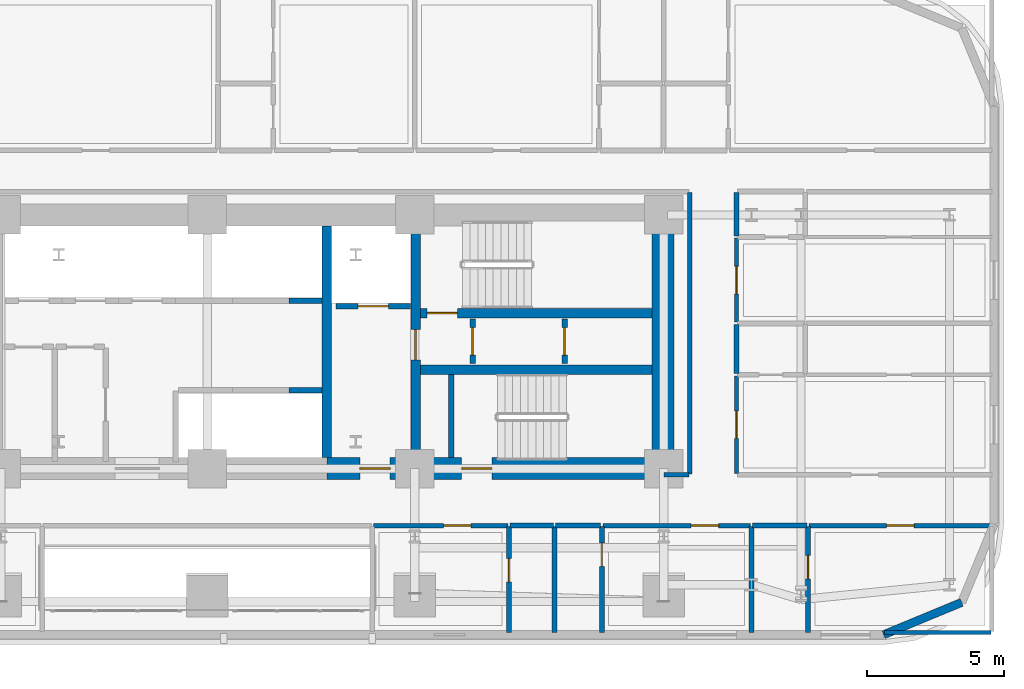
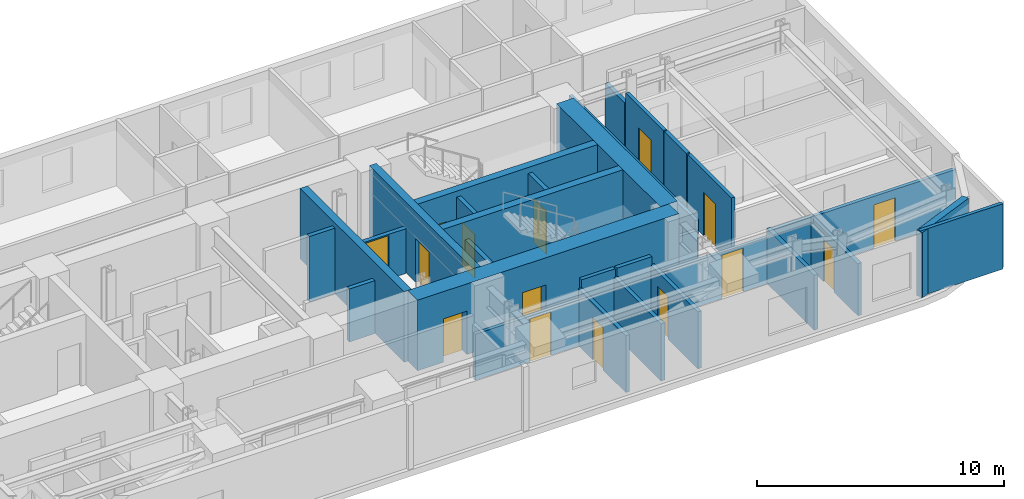
# One storey, part 10 of 16: 31 walls, 15 doors, 15 openings.
"""IFC4 building model written with IfcOpenShell, lengths in metres."""

from ifc_helpers import new_model, si_unit, direction, frame, frame_2d, origin, place, context, subcontext, project, spatial, rectangle, extrude, material, layer, layer_set, type_object, element, fill, save


model = new_model("IFC4")

# Units and contexts
model_context = context("Model", 3, precision=1e-05, world=origin(), true_north=direction((0.0, 1.0)))
body_context = subcontext(model_context, "Body", "Model", "MODEL_VIEW")
ifc_project = project(units=[si_unit("LENGTHUNIT", "METRE"), si_unit("AREAUNIT", "SQUARE_METRE"), si_unit("VOLUMEUNIT", "CUBIC_METRE"), si_unit("PLANEANGLEUNIT", "RADIAN"), si_unit("MASSUNIT", "GRAM", prefix="KILO")], contexts=[model_context])

# Site, building, storey
site_placement = place(None, origin())
site = spatial("IfcSite", under=ifc_project, at=site_placement, CompositionType="ELEMENT")
building_placement = place(site_placement, origin())
building = spatial("IfcBuilding", under=site, at=building_placement, Name="Zarnavel Station Tower", CompositionType="ELEMENT")
storey_placement = place(building_placement, frame((0.0, 0.0, 32.5)))
storey = spatial("IfcBuildingStorey", under=building, at=storey_placement, Name="L08", CompositionType="ELEMENT", Elevation=32.5)

# Wall
ifc_material_1 = material(Name="Concrete C50/60", Category="concrete")
ifc_layer_1 = layer(ifc_material_1, 0.35009765625)
ifc_layer_set_1 = layer_set([ifc_layer_1], Name="CW_350")
wall_type_1 = type_object("IfcWallType", Name="CW_350", PredefinedType="SHEAR", material=ifc_layer_set_1)
wall_1_placement = place(storey_placement, frame((33.14990234375, 28.219970703125, 0.0), z_axis=(0.0, 0.0, 1.0), x_axis=(0.0, 1.0, 0.0)))
element("IfcWall", 1, at=wall_1_placement, inside=storey, type_object=wall_type_1, Name="L08 Rear Core Shear Wall DIV-E", PredefinedType="SHEAR", context=body_context, shape_type="SweptSolid", body=[
    extrude(rectangle(XDim=8.429931640625, YDim=0.35009765625, at=frame_2d((4.21484375, 0.0))), origin(), (0.0, 0.0, 1.0), 3.5),
])

# Wall, opening, door
wall_2_placement = place(storey_placement, frame((36.3798828125, 28.219970703125, 0.0), z_axis=(0.0, 0.0, 1.0), x_axis=(0.0, 1.0, 0.0)))
wall_2 = element("IfcWall", 2, at=wall_2_placement, inside=storey, type_object=wall_type_1, Name="L08 Rear Core Shear Wall DIV-S2", PredefinedType="SHEAR", context=body_context, shape_type="SweptSolid", body=[
    extrude(rectangle(XDim=8.429931640625, YDim=0.35009765625, at=frame_2d((4.21484375, 0.0))), origin(), (0.0, 0.0, 1.0), 3.5),
])
opening_1_placement = place(wall_2_placement, frame((3.56005859375, 0.0, 0.0)))
opening_1 = element("IfcOpeningElement", 3, at=opening_1_placement, cuts=wall_2, Name="Opening FD01", PredefinedType="OPENING", context=body_context, shape_type="SweptSolid", body=[
    extrude(rectangle(XDim=1.10009765625, YDim=2.14990234375, at=frame_2d((0.550048828125, 1.074951171875))), frame((0.0, 0.18505859375, 0.0), z_axis=(0.0, -1.0, 0.0), x_axis=(1.0, 0.0, 0.0)), (0.0, 0.0, 1.0), 0.3701171875),
])
ifc_material_2 = material(Name="Painted Galvanised Steel and Hardwood Leaf", Category="steel")
door_type_1 = type_object("IfcDoorType", Name="ID_STAIR_1100", OperationType="NOTDEFINED", PredefinedType="DOOR", material=ifc_material_2)
door_1_placement = place(opening_1_placement, origin())
door_1 = element("IfcDoor", 4, at=door_1_placement, inside=storey, type_object=door_type_1, Name="L08 East Stair Vestibule Fire Door", OperationType="SINGLE_SWING_LEFT", OverallHeight=2.14990234375, OverallWidth=1.10009765625, PredefinedType="DOOR", context=body_context, shape_type="SweptSolid", body=[
    extrude(rectangle(XDim=1.10009765625, YDim=2.14990234375, at=frame_2d((0.550048828125, 1.074951171875))), frame((0.0, 0.02490234375, 0.0), z_axis=(0.0, -1.0, 0.0), x_axis=(1.0, 0.0, 0.0)), (0.0, 0.0, 1.0), 0.050048828125),
])
fill(opening_1, door_1)

wall_3_placement = place(storey_placement, frame((44.97998046875, 33.47998046875, 0.0), z_axis=(0.0, 0.0, 1.0), x_axis=(-1.0, 0.0, 0.0)))
wall_3 = element("IfcWall", 5, at=wall_3_placement, inside=storey, type_object=wall_type_1, Name="L08 Rear Core Shear Wall DIV-H2", PredefinedType="SHEAR", context=body_context, shape_type="SweptSolid", body=[
    extrude(rectangle(XDim=8.425048828125, YDim=0.35009765625, at=frame_2d((4.21240234375, 0.0))), origin(), (0.0, 0.0, 1.0), 3.5),
])
opening_2_placement = place(wall_3_placement, frame((7.080078125, 0.0, 0.0)))
opening_2 = element("IfcOpeningElement", 6, at=opening_2_placement, cuts=wall_3, Name="Opening FD01", PredefinedType="OPENING", context=body_context, shape_type="SweptSolid", body=[
    extrude(rectangle(XDim=1.10009765625, YDim=2.14990234375, at=frame_2d((0.550048828125, 1.074951171875))), frame((0.0, 0.18505859375, 0.0), z_axis=(0.0, -1.0, 0.0), x_axis=(1.0, 0.0, 0.0)), (0.0, 0.0, 1.0), 0.3701171875),
])
door_2_placement = place(opening_2_placement, origin())
door_2 = element("IfcDoor", 7, at=door_2_placement, inside=storey, type_object=door_type_1, Name="L08 Stair ST2 Lobby Fire Door", OperationType="SINGLE_SWING_RIGHT", OverallHeight=2.14990234375, OverallWidth=1.10009765625, PredefinedType="DOOR", context=body_context, shape_type="SweptSolid", body=[
    extrude(rectangle(XDim=1.10009765625, YDim=2.14990234375, at=frame_2d((0.550048828125, 1.074951171875))), frame((0.0, 0.02490234375, 0.0), z_axis=(0.0, -1.0, 0.0), x_axis=(1.0, 0.0, 0.0)), (0.0, 0.0, 1.0), 0.050048828125),
])
fill(opening_2, door_2)

# Wall
wall_4_placement = place(storey_placement, frame((36.554931640625, 31.419921875, 0.0), z_axis=(0.0, 0.0, 1.0), x_axis=(1.0, 0.0, 0.0)))
element("IfcWall", 8, at=wall_4_placement, inside=storey, type_object=wall_type_1, Name="L08 Rear Core Shear Wall DIV-H3", PredefinedType="SHEAR", context=body_context, shape_type="SweptSolid", body=[
    extrude(rectangle(XDim=8.425048828125, YDim=0.35009765625, at=frame_2d((4.21240234375, 0.0))), origin(), (0.0, 0.0, 1.0), 3.5),
])

# Wall, openings, doors
ifc_material_3 = material(Name="Concrete C60/75", Category="concrete")
ifc_layer_2 = layer(ifc_material_3, 0.800048828125)
ifc_layer_set_2 = layer_set([ifc_layer_2], Name="CW_800")
wall_type_2 = type_object("IfcWallType", Name="CW_800", PredefinedType="SHEAR", material=ifc_layer_set_2)
wall_5_placement = place(storey_placement, frame((45.3798828125, 27.820068359375, 0.0), z_axis=(0.0, 0.0, 1.0), x_axis=(-1.0, 0.0, 0.0)))
wall_5 = element("IfcWall", 9, at=wall_5_placement, inside=storey, type_object=wall_type_2, Name="L08 Rear Core Shear Wall S-E", PredefinedType="SHEAR", context=body_context, shape_type="SweptSolid", body=[
    extrude(rectangle(XDim=12.22998046875, YDim=0.800048828125, at=frame_2d((6.114990234375, 0.0))), origin(), (0.0, 0.0, 1.0), 3.5),
])
opening_3_placement = place(wall_5_placement, frame((9.929931640625, 0.0, 0.0)))
opening_3 = element("IfcOpeningElement", 10, at=opening_3_placement, cuts=wall_5, Name="Opening FD01", PredefinedType="OPENING", context=body_context, shape_type="SweptSolid", body=[
    extrude(rectangle(XDim=1.10009765625, YDim=2.14990234375, at=frame_2d((0.550048828125, 1.074951171875))), frame((0.0, 0.409912109375, 0.0), z_axis=(0.0, -1.0, 0.0), x_axis=(1.0, 0.0, 0.0)), (0.0, 0.0, 1.0), 0.820068359375),
])
opening_4_placement = place(wall_5_placement, frame((6.22998046875, 0.0, 0.0)))
opening_4 = element("IfcOpeningElement", 11, at=opening_4_placement, cuts=wall_5, Name="Opening FD01", PredefinedType="OPENING", context=body_context, shape_type="SweptSolid", body=[
    extrude(rectangle(XDim=1.10009765625, YDim=2.14990234375, at=frame_2d((0.550048828125, 1.074951171875))), frame((0.0, 0.409912109375, 0.0), z_axis=(0.0, -1.0, 0.0), x_axis=(1.0, 0.0, 0.0)), (0.0, 0.0, 1.0), 0.820068359375),
])
door_3_placement = place(opening_3_placement, origin())
door_3 = element("IfcDoor", 12, at=door_3_placement, inside=storey, type_object=door_type_1, Name="L08 East Firefighting Lobby Door", OperationType="SINGLE_SWING_LEFT", OverallHeight=2.14990234375, OverallWidth=1.10009765625, PredefinedType="DOOR", context=body_context, shape_type="SweptSolid", body=[
    extrude(rectangle(XDim=1.10009765625, YDim=2.14990234375, at=frame_2d((0.550048828125, 1.074951171875))), frame((0.0, 0.02490234375, 0.0), z_axis=(0.0, -1.0, 0.0), x_axis=(1.0, 0.0, 0.0)), (0.0, 0.0, 1.0), 0.050048828125),
])
fill(opening_3, door_3)
door_4_placement = place(opening_4_placement, origin())
door_4 = element("IfcDoor", 13, at=door_4_placement, inside=storey, type_object=door_type_1, Name="L08 Stair ST3 Corridor Fire Door", OperationType="SINGLE_SWING_RIGHT", OverallHeight=2.14990234375, OverallWidth=1.10009765625, PredefinedType="DOOR", context=body_context, shape_type="SweptSolid", body=[
    extrude(rectangle(XDim=1.10009765625, YDim=2.14990234375, at=frame_2d((0.550048828125, 1.074951171875))), frame((0.0, 0.02490234375, 0.0), z_axis=(0.0, -1.0, 0.0), x_axis=(1.0, 0.0, 0.0)), (0.0, 0.0, 1.0), 0.050048828125),
])
fill(opening_4, door_4)

# Walls
wall_6_placement = place(storey_placement, frame((45.3798828125, 28.219970703125, 0.0), z_axis=(0.0, 0.0, 1.0), x_axis=(0.0, 1.0, 0.0)))
element("IfcWall", 14, at=wall_6_placement, inside=storey, type_object=wall_type_2, Name="L08 Rear Core Shear Wall E", PredefinedType="SHEAR", context=body_context, shape_type="SweptSolid", body=[
    extrude(rectangle(XDim=8.429931640625, YDim=0.800048828125, at=frame_2d((4.21484375, 0.0))), origin(), (0.0, 0.0, 1.0), 3.5),
])
ifc_material_4 = material(Name="Precast concrete C45/55 (Dark Basalt Finish)", Category="masonry")
ifc_layer_3 = layer(ifc_material_4, 0.300048828125)
ifc_layer_set_3 = layer_set([ifc_layer_3], Name="EW_BASALT_300")
wall_type_3 = type_object("IfcWallType", Name="EW_BASALT_300", PredefinedType="SOLIDWALL", material=ifc_layer_set_3)
wall_7_placement = place(storey_placement, frame((56.24267578125, 22.95751953125, 0.0), z_axis=(0.0, 0.0, 1.0), x_axis=(-0.923882414032, -0.382676475685, 0.0)))
element("IfcWall", 15, at=wall_7_placement, inside=storey, type_object=wall_type_3, Name="L08 Exterior Basalt Masonry Frame Wall 01", PredefinedType="SOLIDWALL", context=body_context, shape_type="SweptSolid", body=[
    extrude(rectangle(XDim=3.076904296875, YDim=0.300048828125, at=frame_2d((1.53857421875, 0.0))), origin(), (0.0, 0.0, 1.0), 3.239990234375),
])

# Wall, opening, door
ifc_material_5 = material(Name="Gypsum Twin-Stud Acoustic Fire Partition", Category="concrete")
ifc_layer_4 = layer(ifc_material_5, 0.159912109375)
ifc_layer_set_4 = layer_set([ifc_layer_4], Name="PT_DEMISE_160")
wall_type_4 = type_object("IfcWallType", Name="PT_DEMISE_160", PredefinedType="PARTITIONING", material=ifc_layer_set_4)
wall_8_placement = place(storey_placement, frame((34.840087890625, 25.75, 0.0), z_axis=(0.0, 0.0, 1.0), x_axis=(1.0, 0.0, 0.0)))
wall_8 = element("IfcWall", 16, at=wall_8_placement, inside=storey, type_object=wall_type_4, Name="L08 Partition COR-S-HE1R", PredefinedType="PARTITIONING", context=body_context, shape_type="SweptSolid", body=[
    extrude(rectangle(XDim=4.89892578125, YDim=0.159912109375, at=frame_2d((2.449462890625, 0.0))), origin(), (0.0, 0.0, 1.0), 2.280029296875),
])
opening_5_placement = place(wall_8_placement, frame((2.552734375, 0.0, 0.0)))
opening_5 = element("IfcOpeningElement", 17, at=opening_5_placement, cuts=wall_8, Name="Opening FD02", PredefinedType="OPENING", context=body_context, shape_type="SweptSolid", body=[
    extrude(rectangle(XDim=1.0, YDim=2.14990234375, at=frame_2d((0.5, 1.074951171875))), frame((0.0, 0.08984375, 0.0), z_axis=(0.0, -1.0, 0.0), x_axis=(1.0, 0.0, 0.0)), (0.0, 0.0, 1.0), 0.179931640625),
])
ifc_material_6 = material(Name="Painted Galvanised Steel and Hardwood Leaf", Category="steel")
door_type_2 = type_object("IfcDoorType", Name="ID_ENTRY_1000", OperationType="NOTDEFINED", PredefinedType="DOOR", material=ifc_material_6)
door_5_placement = place(opening_5_placement, origin())
door_5 = element("IfcDoor", 18, at=door_5_placement, inside=storey, type_object=door_type_2, Name="L08 Door COR-S-HE1R", OperationType="SINGLE_SWING_RIGHT", OverallHeight=2.14990234375, OverallWidth=1.0, PredefinedType="DOOR", context=body_context, shape_type="SweptSolid", body=[
    extrude(rectangle(XDim=1.0, YDim=2.14990234375, at=frame_2d((0.5, 1.074951171875))), frame((0.0, 0.02490234375, 0.0), z_axis=(0.0, -1.0, 0.0), x_axis=(1.0, 0.0, 0.0)), (0.0, 0.0, 1.0), 0.050048828125),
])
fill(opening_5, door_5)

wall_9_placement = place(storey_placement, frame((43.18994140625, 25.75, 0.0), z_axis=(0.0, 0.0, 1.0), x_axis=(1.0, 0.0, 0.0)))
wall_9 = element("IfcWall", 19, at=wall_9_placement, inside=storey, type_object=wall_type_4, Name="L08 Partition COR-S-HE2R", PredefinedType="PARTITIONING", context=body_context, shape_type="SweptSolid", body=[
    extrude(rectangle(XDim=5.3701171875, YDim=0.159912109375, at=frame_2d((2.68505859375, 0.0))), origin(), (0.0, 0.0, 1.0), 2.280029296875),
])
opening_6_placement = place(wall_9_placement, frame((3.20751953125, 0.0, 0.0)))
opening_6 = element("IfcOpeningElement", 20, at=opening_6_placement, cuts=wall_9, Name="Opening FD02", PredefinedType="OPENING", context=body_context, shape_type="SweptSolid", body=[
    extrude(rectangle(XDim=1.0, YDim=2.14990234375, at=frame_2d((0.5, 1.074951171875))), frame((0.0, 0.08984375, 0.0), z_axis=(0.0, -1.0, 0.0), x_axis=(1.0, 0.0, 0.0)), (0.0, 0.0, 1.0), 0.179931640625),
])
door_6_placement = place(opening_6_placement, origin())
door_6 = element("IfcDoor", 21, at=door_6_placement, inside=storey, type_object=door_type_2, Name="L08 Door COR-S-HE2R", OperationType="SINGLE_SWING_LEFT", OverallHeight=2.14990234375, OverallWidth=1.0, PredefinedType="DOOR", context=body_context, shape_type="SweptSolid", body=[
    extrude(rectangle(XDim=1.0, YDim=2.14990234375, at=frame_2d((0.5, 1.074951171875))), frame((0.0, 0.02490234375, 0.0), z_axis=(0.0, -1.0, 0.0), x_axis=(1.0, 0.0, 0.0)), (0.0, 0.0, 1.0), 0.050048828125),
])
fill(opening_6, door_6)

wall_10_placement = place(storey_placement, frame((50.68994140625, 25.75, 0.0), z_axis=(0.0, 0.0, 1.0), x_axis=(1.0, 0.0, 0.0)))
wall_10 = element("IfcWall", 22, at=wall_10_placement, inside=storey, type_object=wall_type_4, Name="L08 Partition COR-S-HE3R", PredefinedType="PARTITIONING", context=body_context, shape_type="SweptSolid", body=[
    extrude(rectangle(XDim=6.650146484375, YDim=0.159912109375, at=frame_2d((3.3251953125, 0.0))), origin(), (0.0, 0.0, 1.0), 2.570068359375),
])
opening_7_placement = place(wall_10_placement, frame((2.824951171875, 0.0, 0.0)))
opening_7 = element("IfcOpeningElement", 23, at=opening_7_placement, cuts=wall_10, Name="Opening FD02", PredefinedType="OPENING", context=body_context, shape_type="SweptSolid", body=[
    extrude(rectangle(XDim=1.0, YDim=2.14990234375, at=frame_2d((0.5, 1.074951171875))), frame((0.0, 0.08984375, 0.0), z_axis=(0.0, -1.0, 0.0), x_axis=(1.0, 0.0, 0.0)), (0.0, 0.0, 1.0), 0.179931640625),
])
door_7_placement = place(opening_7_placement, origin())
door_7 = element("IfcDoor", 24, at=door_7_placement, inside=storey, type_object=door_type_2, Name="L08 Door COR-S-HE3R", OperationType="SINGLE_SWING_RIGHT", OverallHeight=2.14990234375, OverallWidth=1.0, PredefinedType="DOOR", context=body_context, shape_type="SweptSolid", body=[
    extrude(rectangle(XDim=1.0, YDim=2.14990234375, at=frame_2d((0.5, 1.074951171875))), frame((0.0, 0.02490234375, 0.0), z_axis=(0.0, -1.0, 0.0), x_axis=(1.0, 0.0, 0.0)), (0.0, 0.0, 1.0), 0.050048828125),
])
fill(opening_7, door_7)

wall_11_placement = place(storey_placement, frame((48.050048828125, 27.639892578125, 0.0), z_axis=(0.0, 0.0, 1.0), x_axis=(0.0, 1.0, 0.0)))
wall_11 = element("IfcWall", 25, at=wall_11_placement, inside=storey, type_object=wall_type_4, Name="L08 Partition COR-E-FNE1R", PredefinedType="PARTITIONING", context=body_context, shape_type="SweptSolid", body=[
    extrude(rectangle(XDim=3.55615234375, YDim=0.159912109375, at=frame_2d((1.778076171875, 0.0))), origin(), (0.0, 0.0, 1.0), 3.239990234375),
])
opening_8_placement = place(wall_11_placement, frame((1.278076171875, 0.0, 0.0)))
opening_8 = element("IfcOpeningElement", 26, at=opening_8_placement, cuts=wall_11, Name="Opening FD02", PredefinedType="OPENING", context=body_context, shape_type="SweptSolid", body=[
    extrude(rectangle(XDim=1.0, YDim=2.14990234375, at=frame_2d((0.5, 1.074951171875))), frame((0.0, 0.08984375, 0.0), z_axis=(0.0, -1.0, 0.0), x_axis=(1.0, 0.0, 0.0)), (0.0, 0.0, 1.0), 0.179931640625),
])
door_8_placement = place(opening_8_placement, origin())
door_8 = element("IfcDoor", 27, at=door_8_placement, inside=storey, type_object=door_type_2, Name="L08 Door COR-E-FNE1R", OperationType="SINGLE_SWING_LEFT", OverallHeight=2.14990234375, OverallWidth=1.0, PredefinedType="DOOR", context=body_context, shape_type="SweptSolid", body=[
    extrude(rectangle(XDim=1.0, YDim=2.14990234375, at=frame_2d((0.5, 1.074951171875))), frame((0.0, 0.02490234375, 0.0), z_axis=(0.0, -1.0, 0.0), x_axis=(1.0, 0.0, 0.0)), (0.0, 0.0, 1.0), 0.050048828125),
])
fill(opening_8, door_8)

wall_12_placement = place(storey_placement, frame((48.050048828125, 33.14892578125, 0.0), z_axis=(0.0, 0.0, 1.0), x_axis=(0.0, 1.0, 0.0)))
wall_12 = element("IfcWall", 28, at=wall_12_placement, inside=storey, type_object=wall_type_4, Name="L08 Partition COR-E-FNE2R", PredefinedType="PARTITIONING", context=body_context, shape_type="SweptSolid", body=[
    extrude(rectangle(XDim=3.06103515625, YDim=0.159912109375, at=frame_2d((1.530517578125, 0.0))), origin(), (0.0, 0.0, 1.0), 3.239990234375),
])
opening_9_placement = place(wall_12_placement, frame((1.030517578125, 0.0, 0.0)))
opening_9 = element("IfcOpeningElement", 29, at=opening_9_placement, cuts=wall_12, Name="Opening FD02", PredefinedType="OPENING", context=body_context, shape_type="SweptSolid", body=[
    extrude(rectangle(XDim=1.0, YDim=2.14990234375, at=frame_2d((0.5, 1.074951171875))), frame((0.0, 0.08984375, 0.0), z_axis=(0.0, -1.0, 0.0), x_axis=(1.0, 0.0, 0.0)), (0.0, 0.0, 1.0), 0.179931640625),
])
door_9_placement = place(opening_9_placement, origin())
door_9 = element("IfcDoor", 30, at=door_9_placement, inside=storey, type_object=door_type_2, Name="L08 Door COR-E-FNE2R", OperationType="SINGLE_SWING_RIGHT", OverallHeight=2.14990234375, OverallWidth=1.0, PredefinedType="DOOR", context=body_context, shape_type="SweptSolid", body=[
    extrude(rectangle(XDim=1.0, YDim=2.14990234375, at=frame_2d((0.5, 1.074951171875))), frame((0.0, 0.02490234375, 0.0), z_axis=(0.0, -1.0, 0.0), x_axis=(1.0, 0.0, 0.0)), (0.0, 0.0, 1.0), 0.050048828125),
])
fill(opening_9, door_9)

# Walls
wall_13_placement = place(storey_placement, frame((45.409912109375, 27.60009765625, 0.0), z_axis=(0.0, 0.0, 1.0), x_axis=(1.0, 0.0, 0.0)))
element("IfcWall", 31, at=wall_13_placement, inside=storey, type_object=wall_type_4, Name="L08 Enclosure Wall COR-S", PredefinedType="PARTITIONING", context=body_context, shape_type="SweptSolid", body=[
    extrude(rectangle(XDim=0.91015625, YDim=0.159912109375, at=frame_2d((0.455078125, 0.0))), origin(), (0.0, 0.0, 1.0), 2.280029296875),
])
wall_14_placement = place(storey_placement, frame((46.35009765625, 27.6298828125, 0.0), z_axis=(0.0, 0.0, 1.0), x_axis=(0.0, 1.0, 0.0)))
element("IfcWall", 32, at=wall_14_placement, inside=storey, type_object=wall_type_4, Name="L08 Enclosure Wall COR-E", PredefinedType="PARTITIONING", context=body_context, shape_type="SweptSolid", body=[
    extrude(rectangle(XDim=10.240234375, YDim=0.159912109375, at=frame_2d((5.1201171875, 0.0))), origin(), (0.0, 0.0, 1.0), 2.719970703125),
])
wall_15_placement = place(storey_placement, frame((53.429931640625, 21.860107421875, 0.0), z_axis=(0.0, 0.0, 1.0), x_axis=(1.0, 0.0, 0.0)))
element("IfcWall", 33, at=wall_15_placement, inside=storey, type_object=wall_type_4, Name="L08 Enclosure Wall HE3R", PredefinedType="PARTITIONING", context=body_context, shape_type="SweptSolid", body=[
    extrude(rectangle(XDim=3.880126953125, YDim=0.159912109375, at=frame_2d((1.93994140625, 0.0))), origin(), (0.0, 0.0, 1.0), 3.239990234375),
])

# Wall, opening, door
ifc_material_7 = material(Name="Precast concrete C45/55 (Fire Shaft Blockwork)", Category="masonry")
ifc_layer_5 = layer(ifc_material_7, 0.199951171875)
ifc_layer_set_5 = layer_set([ifc_layer_5], Name="PT_SHAFT_200")
wall_type_5 = type_object("IfcWallType", Name="PT_SHAFT_200", PredefinedType="PARTITIONING", material=ifc_layer_set_5)
wall_16_placement = place(storey_placement, frame((33.47509765625, 33.72998046875, 0.0), z_axis=(0.0, 0.0, 1.0), x_axis=(1.0, 0.0, 0.0)))
wall_16 = element("IfcWall", 34, at=wall_16_placement, inside=storey, type_object=wall_type_5, Name="L08 Lift FFL-02 Shaft Front Wall", PredefinedType="PARTITIONING", context=body_context, shape_type="SweptSolid", body=[
    extrude(rectangle(XDim=2.724853515625, YDim=0.199951171875, at=frame_2d((1.3623046875, 0.0))), origin(), (0.0, 0.0, 1.0), 2.2119140625),
])
opening_10_placement = place(wall_16_placement, frame((0.8125, 0.0, 0.0)))
opening_10 = element("IfcOpeningElement", 35, at=opening_10_placement, cuts=wall_16, Name="Opening LD01", PredefinedType="OPENING", context=body_context, shape_type="SweptSolid", body=[
    extrude(rectangle(XDim=1.10009765625, YDim=2.14990234375, at=frame_2d((0.550048828125, 1.074951171875))), frame((0.0, 0.10986328125, 0.0), z_axis=(0.0, -1.0, 0.0), x_axis=(1.0, 0.0, 0.0)), (0.0, 0.0, 1.0), 0.219970703125),
])
ifc_material_8 = material(Name="Painted Galvanised Steel and Hardwood Leaf", Category="steel")
door_type_3 = type_object("IfcDoorType", Name="LD_FF_1100", OperationType="DOUBLE_DOOR_SLIDING", PredefinedType="DOOR", material=ifc_material_8)
door_10_placement = place(opening_10_placement, origin())
door_10 = element("IfcDoor", 36, at=door_10_placement, inside=storey, type_object=door_type_3, Name="L08 Lift FFL-02 Sliding Landing Door", OperationType="DOUBLE_DOOR_SLIDING", OverallHeight=2.14990234375, OverallWidth=1.10009765625, PredefinedType="DOOR", context=body_context, shape_type="SweptSolid", body=[
    extrude(rectangle(XDim=1.10009765625, YDim=2.14990234375, at=frame_2d((0.550048828125, 1.074951171875))), frame((0.0, 0.02490234375, 0.0), z_axis=(0.0, -1.0, 0.0), x_axis=(1.0, 0.0, 0.0)), (0.0, 0.0, 1.0), 0.050048828125),
])
fill(opening_10, door_10)

# Walls
wall_17_placement = place(storey_placement, frame((31.77490234375, 30.669921875, 0.0), z_axis=(0.0, 0.0, 1.0), x_axis=(1.0, 0.0, 0.0)))
element("IfcWall", 37, at=wall_17_placement, inside=storey, type_object=wall_type_5, Name="L08 Lift PL-H3 Shaft Front Wall", PredefinedType="PARTITIONING", context=body_context, shape_type="SweptSolid", body=[
    extrude(rectangle(XDim=1.2001953125, YDim=0.199951171875, at=frame_2d((0.60009765625, 0.0))), origin(), (0.0, 0.0, 1.0), 2.6201171875),
])
wall_18_placement = place(storey_placement, frame((31.77490234375, 33.929931640625, 0.0), z_axis=(0.0, 0.0, 1.0), x_axis=(1.0, 0.0, 0.0)))
element("IfcWall", 38, at=wall_18_placement, inside=storey, type_object=wall_type_5, Name="L08 Lift PL-M3 Shaft Front Wall", PredefinedType="PARTITIONING", context=body_context, shape_type="SweptSolid", body=[
    extrude(rectangle(XDim=1.2001953125, YDim=0.199951171875, at=frame_2d((0.60009765625, 0.0))), origin(), (0.0, 0.0, 1.0), 3.239990234375),
])
wall_19_placement = place(storey_placement, frame((37.679931640625, 28.219970703125, 0.0), z_axis=(0.0, 0.0, 1.0), x_axis=(0.0, 1.0, 0.0)))
element("IfcWall", 39, at=wall_19_placement, inside=storey, type_object=wall_type_5, Name="L08 Stair ST3 West Shaft Wall", PredefinedType="PARTITIONING", context=body_context, shape_type="SweptSolid", body=[
    extrude(rectangle(XDim=3.030029296875, YDim=0.199951171875, at=frame_2d((1.51513671875, 0.0))), origin(), (0.0, 0.0, 1.0), 2.6201171875),
])

# Wall, opening, door
wall_20_placement = place(storey_placement, frame((38.449951171875, 31.639892578125, 0.0), z_axis=(0.0, 0.0, 1.0), x_axis=(0.0, 1.0, 0.0)))
wall_20 = element("IfcWall", 40, at=wall_20_placement, inside=storey, type_object=wall_type_5, Name="L08 Partition ESTV-CEA", PredefinedType="PARTITIONING", context=body_context, shape_type="SweptSolid", body=[
    extrude(rectangle(XDim=1.6201171875, YDim=0.199951171875, at=frame_2d((0.81005859375, 0.0))), origin(), (0.0, 0.0, 1.0), 3.239990234375),
])
opening_11_placement = place(wall_20_placement, frame((0.31005859375, 0.0, 0.0)))
opening_11 = element("IfcOpeningElement", 41, at=opening_11_placement, cuts=wall_20, Name="Opening FD02", PredefinedType="OPENING", context=body_context, shape_type="SweptSolid", body=[
    extrude(rectangle(XDim=1.0, YDim=2.14990234375, at=frame_2d((0.5, 1.074951171875))), frame((0.0, 0.10986328125, 0.0), z_axis=(0.0, -1.0, 0.0), x_axis=(1.0, 0.0, 0.0)), (0.0, 0.0, 1.0), 0.219970703125),
])
door_11_placement = place(opening_11_placement, origin())
door_11 = element("IfcDoor", 42, at=door_11_placement, inside=storey, type_object=door_type_2, Name="L08 Door ESTV-CEA", OperationType="SINGLE_SWING_RIGHT", OverallHeight=2.14990234375, OverallWidth=1.0, PredefinedType="DOOR", context=body_context, shape_type="SweptSolid", body=[
    extrude(rectangle(XDim=1.0, YDim=2.14990234375, at=frame_2d((0.5, 1.074951171875))), frame((0.0, 0.02490234375, 0.0), z_axis=(0.0, -1.0, 0.0), x_axis=(1.0, 0.0, 0.0)), (0.0, 0.0, 1.0), 0.050048828125),
])
fill(opening_11, door_11)

wall_21_placement = place(storey_placement, frame((41.800048828125, 31.639892578125, 0.0), z_axis=(0.0, 0.0, 1.0), x_axis=(0.0, 1.0, 0.0)))
wall_21 = element("IfcWall", 43, at=wall_21_placement, inside=storey, type_object=wall_type_5, Name="L08 Partition CEA-CEB", PredefinedType="PARTITIONING", context=body_context, shape_type="SweptSolid", body=[
    extrude(rectangle(XDim=1.6201171875, YDim=0.199951171875, at=frame_2d((0.81005859375, 0.0))), origin(), (0.0, 0.0, 1.0), 3.239990234375),
])
opening_12_placement = place(wall_21_placement, frame((0.31005859375, 0.0, 0.0)))
opening_12 = element("IfcOpeningElement", 44, at=opening_12_placement, cuts=wall_21, Name="Opening FD02", PredefinedType="OPENING", context=body_context, shape_type="SweptSolid", body=[
    extrude(rectangle(XDim=1.0, YDim=2.14990234375, at=frame_2d((0.5, 1.074951171875))), frame((0.0, 0.10986328125, 0.0), z_axis=(0.0, -1.0, 0.0), x_axis=(1.0, 0.0, 0.0)), (0.0, 0.0, 1.0), 0.219970703125),
])
door_12_placement = place(opening_12_placement, origin())
door_12 = element("IfcDoor", 45, at=door_12_placement, inside=storey, type_object=door_type_2, Name="L08 Door CEA-CEB", OperationType="SINGLE_SWING_LEFT", OverallHeight=2.14990234375, OverallWidth=1.0, PredefinedType="DOOR", context=body_context, shape_type="SweptSolid", body=[
    extrude(rectangle(XDim=1.0, YDim=2.14990234375, at=frame_2d((0.5, 1.074951171875))), frame((0.0, 0.02490234375, 0.0), z_axis=(0.0, -1.0, 0.0), x_axis=(1.0, 0.0, 0.0)), (0.0, 0.0, 1.0), 0.050048828125),
])
fill(opening_12, door_12)

# Walls
ifc_material_9 = material(Name="Moisture-Resistant Plumbing Chase Wall", Category="concrete")
ifc_layer_6 = layer(ifc_material_9, 0.179931640625)
ifc_layer_set_6 = layer_set([ifc_layer_6], Name="PW_PLUMB_180")
wall_type_6 = type_object("IfcWallType", Name="PW_PLUMB_180", PredefinedType="PLUMBINGWALL", material=ifc_layer_set_6)
wall_22_placement = place(storey_placement, frame((39.819091796875, 25.75, 0.0), z_axis=(0.0, 0.0, 1.0), x_axis=(1.0, 0.0, 0.0)))
element("IfcWall", 46, at=wall_22_placement, inside=storey, type_object=wall_type_6, Name="L08 Partition COR-S-HE1B", PredefinedType="PLUMBINGWALL", context=body_context, shape_type="SweptSolid", body=[
    extrude(rectangle(XDim=1.56982421875, YDim=0.179931640625, at=frame_2d((0.784912109375, 0.0))), origin(), (0.0, 0.0, 1.0), 3.239990234375),
])
wall_23_placement = place(storey_placement, frame((41.468994140625, 25.75, 0.0), z_axis=(0.0, 0.0, 1.0), x_axis=(1.0, 0.0, 0.0)))
element("IfcWall", 47, at=wall_23_placement, inside=storey, type_object=wall_type_6, Name="L08 Partition COR-S-HE2B", PredefinedType="PLUMBINGWALL", context=body_context, shape_type="SweptSolid", body=[
    extrude(rectangle(XDim=1.64111328125, YDim=0.179931640625, at=frame_2d((0.820556640625, 0.0))), origin(), (0.0, 0.0, 1.0), 3.239990234375),
])
wall_24_placement = place(storey_placement, frame((48.639892578125, 25.75, 0.0), z_axis=(0.0, 0.0, 1.0), x_axis=(1.0, 0.0, 0.0)))
element("IfcWall", 48, at=wall_24_placement, inside=storey, type_object=wall_type_6, Name="L08 Partition COR-S-HE3B", PredefinedType="PLUMBINGWALL", context=body_context, shape_type="SweptSolid", body=[
    extrude(rectangle(XDim=1.97021484375, YDim=0.179931640625, at=frame_2d((0.985107421875, 0.0))), origin(), (0.0, 0.0, 1.0), 2.570068359375),
])
wall_25_placement = place(storey_placement, frame((48.050048828125, 31.27587890625, 0.0), z_axis=(0.0, 0.0, 1.0), x_axis=(0.0, 1.0, 0.0)))
element("IfcWall", 49, at=wall_25_placement, inside=storey, type_object=wall_type_6, Name="L08 Partition COR-E-FNE1B", PredefinedType="PLUMBINGWALL", context=body_context, shape_type="SweptSolid", body=[
    extrude(rectangle(XDim=1.793212890625, YDim=0.179931640625, at=frame_2d((0.896484375, 0.0))), origin(), (0.0, 0.0, 1.0), 3.239990234375),
])
wall_26_placement = place(storey_placement, frame((48.050048828125, 36.2900390625, 0.0), z_axis=(0.0, 0.0, 1.0), x_axis=(0.0, 1.0, 0.0)))
element("IfcWall", 50, at=wall_26_placement, inside=storey, type_object=wall_type_6, Name="L08 Partition COR-E-FNE2B", PredefinedType="PLUMBINGWALL", context=body_context, shape_type="SweptSolid", body=[
    extrude(rectangle(XDim=1.570068359375, YDim=0.179931640625, at=frame_2d((0.78515625, 0.0))), origin(), (0.0, 0.0, 1.0), 2.719970703125),
])

# Wall, opening, door
wall_27_placement = place(storey_placement, frame((39.779052734375, 21.860107421875, 0.0), z_axis=(0.0, 0.0, 1.0), x_axis=(0.0, 1.0, 0.0)))
wall_27 = element("IfcWall", 51, at=wall_27_placement, inside=storey, type_object=wall_type_6, Name="L08 Partition HE1R-HE1B", PredefinedType="PLUMBINGWALL", context=body_context, shape_type="SweptSolid", body=[
    extrude(rectangle(XDim=3.849853515625, YDim=0.179931640625, at=frame_2d((1.9248046875, 0.0))), origin(), (0.0, 0.0, 1.0), 2.820068359375),
])
opening_13_placement = place(wall_27_placement, frame((1.840087890625, 0.0, 0.0)))
opening_13 = element("IfcOpeningElement", 52, at=opening_13_placement, cuts=wall_27, Name="Opening ID02", PredefinedType="OPENING", context=body_context, shape_type="SweptSolid", body=[
    extrude(rectangle(XDim=0.85009765625, YDim=2.10009765625, at=frame_2d((0.425048828125, 1.050048828125))), frame((0.0, 0.099853515625, 0.0), z_axis=(0.0, -1.0, 0.0), x_axis=(1.0, 0.0, 0.0)), (0.0, 0.0, 1.0), 0.199951171875),
])
ifc_material_10 = material(Name="Painted Galvanised Steel and Hardwood Leaf", Category="steel")
door_type_4 = type_object("IfcDoorType", Name="ID_BATH_850", OperationType="NOTDEFINED", PredefinedType="DOOR", material=ifc_material_10)
door_13_placement = place(opening_13_placement, origin())
door_13 = element("IfcDoor", 53, at=door_13_placement, inside=storey, type_object=door_type_4, Name="L08 Door HE1R-HE1B", OperationType="SINGLE_SWING_RIGHT", OverallHeight=2.10009765625, OverallWidth=0.85009765625, PredefinedType="DOOR", context=body_context, shape_type="SweptSolid", body=[
    extrude(rectangle(XDim=0.85009765625, YDim=2.10009765625, at=frame_2d((0.425048828125, 1.050048828125))), frame((0.0, 0.02490234375, 0.0), z_axis=(0.0, -1.0, 0.0), x_axis=(1.0, 0.0, 0.0)), (0.0, 0.0, 1.0), 0.050048828125),
])
fill(opening_13, door_13)

# Wall
wall_28_placement = place(storey_placement, frame((41.428955078125, 21.860107421875, 0.0), z_axis=(0.0, 0.0, 1.0), x_axis=(0.0, 1.0, 0.0)))
element("IfcWall", 54, at=wall_28_placement, inside=storey, type_object=wall_type_6, Name="L08 Partition HE1B-HE2B", PredefinedType="PLUMBINGWALL", context=body_context, shape_type="SweptSolid", body=[
    extrude(rectangle(XDim=3.849853515625, YDim=0.179931640625, at=frame_2d((1.9248046875, 0.0))), origin(), (0.0, 0.0, 1.0), 2.820068359375),
])

# Wall, opening, door
wall_29_placement = place(storey_placement, frame((43.14990234375, 21.860107421875, 0.0), z_axis=(0.0, 0.0, 1.0), x_axis=(0.0, 1.0, 0.0)))
wall_29 = element("IfcWall", 55, at=wall_29_placement, inside=storey, type_object=wall_type_6, Name="L08 Partition HE2R-HE2B", PredefinedType="PLUMBINGWALL", context=body_context, shape_type="SweptSolid", body=[
    extrude(rectangle(XDim=3.849853515625, YDim=0.179931640625, at=frame_2d((1.9248046875, 0.0))), origin(), (0.0, 0.0, 1.0), 2.820068359375),
])
opening_14_placement = place(wall_29_placement, frame((2.40673828125, 0.0, 0.0)))
opening_14 = element("IfcOpeningElement", 56, at=opening_14_placement, cuts=wall_29, Name="Opening ID02", PredefinedType="OPENING", context=body_context, shape_type="SweptSolid", body=[
    extrude(rectangle(XDim=0.85009765625, YDim=2.10009765625, at=frame_2d((0.425048828125, 1.050048828125))), frame((0.0, 0.099853515625, 0.0), z_axis=(0.0, -1.0, 0.0), x_axis=(1.0, 0.0, 0.0)), (0.0, 0.0, 1.0), 0.199951171875),
])
door_14_placement = place(opening_14_placement, origin())
door_14 = element("IfcDoor", 57, at=door_14_placement, inside=storey, type_object=door_type_4, Name="L08 Door HE2R-HE2B", OperationType="SINGLE_SWING_LEFT", OverallHeight=2.10009765625, OverallWidth=0.85009765625, PredefinedType="DOOR", context=body_context, shape_type="SweptSolid", body=[
    extrude(rectangle(XDim=0.85009765625, YDim=2.10009765625, at=frame_2d((0.425048828125, 1.050048828125))), frame((0.0, 0.02490234375, 0.0), z_axis=(0.0, -1.0, 0.0), x_axis=(1.0, 0.0, 0.0)), (0.0, 0.0, 1.0), 0.050048828125),
])
fill(opening_14, door_14)

# Wall
wall_30_placement = place(storey_placement, frame((48.60009765625, 21.860107421875, 0.0), z_axis=(0.0, 0.0, 1.0), x_axis=(0.0, 1.0, 0.0)))
element("IfcWall", 58, at=wall_30_placement, inside=storey, type_object=wall_type_6, Name="L08 Partition HE2R-HE3B", PredefinedType="PLUMBINGWALL", context=body_context, shape_type="SweptSolid", body=[
    extrude(rectangle(XDim=3.849853515625, YDim=0.179931640625, at=frame_2d((1.9248046875, 0.0))), origin(), (0.0, 0.0, 1.0), 2.719970703125),
])

# Wall, opening, door
wall_31_placement = place(storey_placement, frame((50.64990234375, 25.7099609375, 0.0), z_axis=(0.0, 0.0, 1.0), x_axis=(0.0, -1.0, 0.0)))
wall_31 = element("IfcWall", 59, at=wall_31_placement, inside=storey, type_object=wall_type_6, Name="L08 Partition HE3R-HE3B", PredefinedType="PLUMBINGWALL", context=body_context, shape_type="SweptSolid", body=[
    extrude(rectangle(XDim=3.849853515625, YDim=0.179931640625, at=frame_2d((1.9248046875, 0.0))), origin(), (0.0, 0.0, 1.0), 2.570068359375),
])
opening_15_placement = place(wall_31_placement, frame((1.046630859375, 0.0, 0.0)))
opening_15 = element("IfcOpeningElement", 60, at=opening_15_placement, cuts=wall_31, Name="Opening ID02", PredefinedType="OPENING", context=body_context, shape_type="SweptSolid", body=[
    extrude(rectangle(XDim=0.85009765625, YDim=2.10009765625, at=frame_2d((0.425048828125, 1.050048828125))), frame((0.0, 0.099853515625, 0.0), z_axis=(0.0, -1.0, 0.0), x_axis=(1.0, 0.0, 0.0)), (0.0, 0.0, 1.0), 0.199951171875),
])
door_15_placement = place(opening_15_placement, origin())
door_15 = element("IfcDoor", 61, at=door_15_placement, inside=storey, type_object=door_type_4, Name="L08 Door HE3R-HE3B", OperationType="SINGLE_SWING_RIGHT", OverallHeight=2.10009765625, OverallWidth=0.85009765625, PredefinedType="DOOR", context=body_context, shape_type="SweptSolid", body=[
    extrude(rectangle(XDim=0.85009765625, YDim=2.10009765625, at=frame_2d((0.425048828125, 1.050048828125))), frame((0.0, 0.02490234375, 0.0), z_axis=(0.0, -1.0, 0.0), x_axis=(1.0, 0.0, 0.0)), (0.0, 0.0, 1.0), 0.050048828125),
])
fill(opening_15, door_15)

save(model, "model.ifc")
